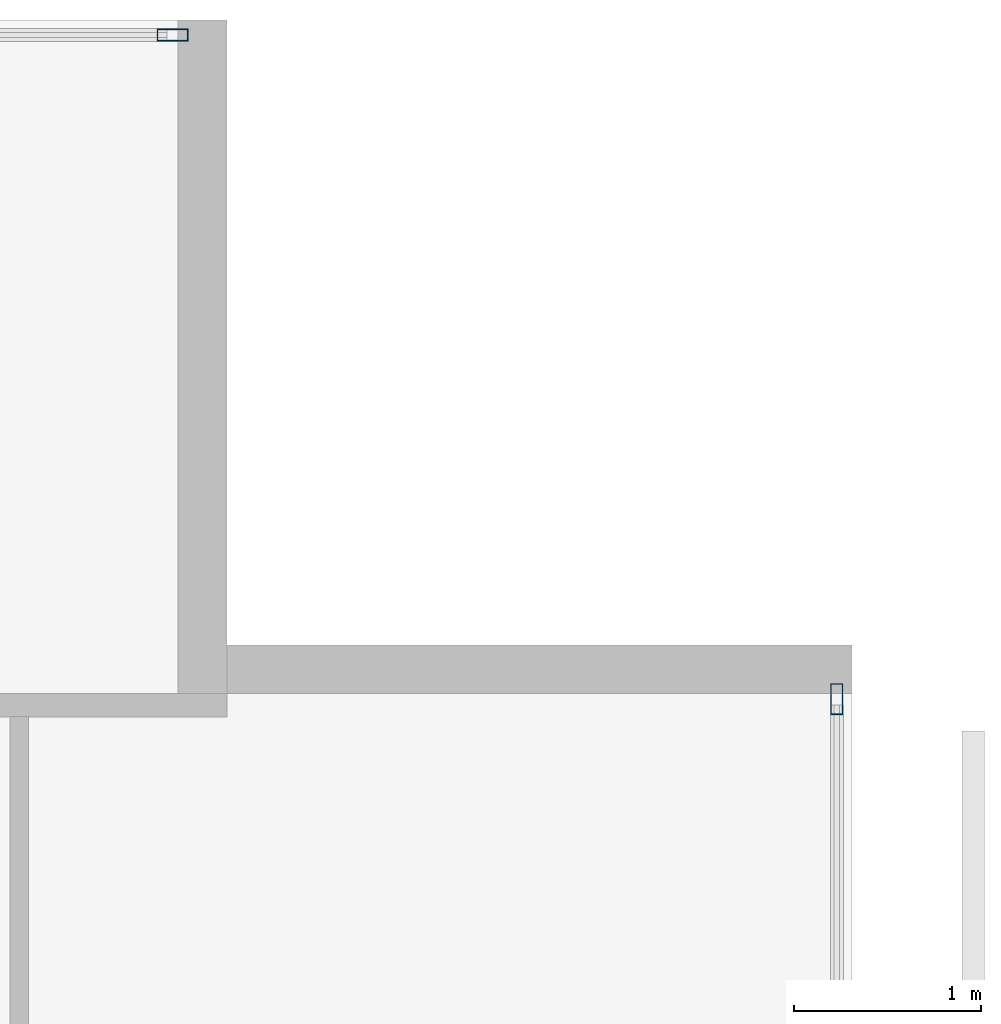
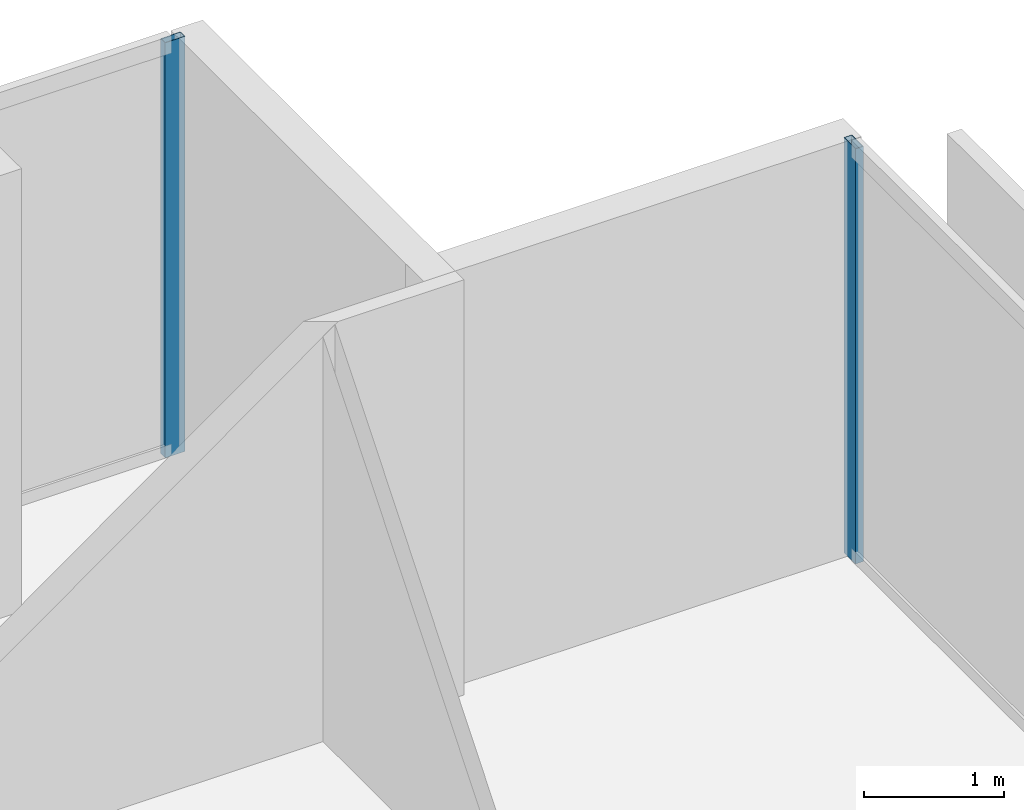
# One storey, part 31 of 40: 2 members, 2 elements without a shape of their own.
"""IFC4 building model written with IfcOpenShell, lengths in metres."""

from ifc_helpers import new_model, si_unit, direction, frame, origin, origin_2d, place, context, subcontext, project, spatial, hollow_rectangle, extrude, material, layer, layer_set, material_profile, profile_set, type_object, element, aggregate, save


model = new_model("IFC4")

# Units and contexts
model_context = context("Model", 3, precision=1e-05, world=origin(), true_north=direction((0.0, 1.0)))
body_context = subcontext(model_context, "Body", "Model", "MODEL_VIEW")
ifc_project = project(units=[si_unit("LENGTHUNIT", "METRE"), si_unit("AREAUNIT", "SQUARE_METRE"), si_unit("VOLUMEUNIT", "CUBIC_METRE"), si_unit("PLANEANGLEUNIT", "RADIAN"), si_unit("MASSUNIT", "GRAM", prefix="KILO")], contexts=[model_context])

# Site, building, storey
site_placement = place(None, origin())
site = spatial("IfcSite", under=ifc_project, at=site_placement, CompositionType="ELEMENT")
building_placement = place(site_placement, origin())
building = spatial("IfcBuilding", under=site, at=building_placement, Name="Maruvema Waterfront Hotel and Observation Tower", CompositionType="ELEMENT")
storey_placement = place(building_placement, frame((0.0, 0.0, 107.800048828125)))
storey = spatial("IfcBuildingStorey", under=building, at=storey_placement, Name="L26", CompositionType="ELEMENT", Elevation=107.800048828125)

# Curtain wall, member
ifc_material_1 = material(Name="Anodised bronze aluminium and solar-control low-E IGU", Category="aluminium")
ifc_layer = layer(ifc_material_1, 0.159912109375, Name="Zone 1 Bronze Inner Thermal Curtain Wall System CW-02")
ifc_layer_set = layer_set([ifc_layer], Name="Anodised bronze aluminium and solar-control low-E IGU")
curtain_wall_type = type_object("IfcCurtainWallType", Name="Zone 1 Bronze Inner Thermal Curtain Wall System CW-02", PredefinedType="USERDEFINED", material=ifc_layer_set)
curtain_wall_1_placement = place(storey_placement, origin())
curtain_wall_1 = element("IfcCurtainWall", 1, at=curtain_wall_1_placement, inside=storey, type_object=curtain_wall_type, Name="L26 Curtain Wall CW-L26-E", ObjectType="UNITISED CURTAIN WALL", PredefinedType="USERDEFINED")
ifc_material_2 = material(Name="Anodised architectural bronze aluminium", Category="aluminium")
ifc_material_profile = material_profile(ifc_material_2, hollow_rectangle(XDim=0.06494140625, YDim=0.1650390625, WallThickness=0.00390625, at=origin_2d()), Name="ALU-M65x165")
ifc_profile_set = profile_set([ifc_material_profile], Name="Anodised architectural bronze aluminium")
member_type = type_object("IfcMemberType", Name="Curtain Wall Primary Mullion ALU-M65x165", PredefinedType="MULLION", material=ifc_profile_set)
member_1_placement = place(storey_placement, frame((64.719970703125, 50.3701171875, 0.0), z_axis=(0.0, 0.0, 1.0), x_axis=(-1.0, 0.0, 0.0)))
member_1 = element("IfcMember", 2, at=member_1_placement, type_object=member_type, Name="CW-02 mullion 7", PredefinedType="MULLION", context=body_context, shape_type="SweptSolid", body=[
    extrude(hollow_rectangle(XDim=0.06494140625, YDim=0.1650390625, WallThickness=0.00390625, at=origin_2d()), origin(), (0.0, 0.0, 1.0), 3.60986328125),
])
aggregate(curtain_wall_1, [member_1])

curtain_wall_2_placement = place(storey_placement, origin())
curtain_wall_2 = element("IfcCurtainWall", 3, at=curtain_wall_2_placement, inside=storey, type_object=curtain_wall_type, Name="L26 Curtain Wall CW-L26-NE", ObjectType="UNITISED CURTAIN WALL", PredefinedType="USERDEFINED")
member_2_placement = place(storey_placement, frame((61.169921875, 53.919921875, 0.0), z_axis=(0.0, 0.0, 1.0), x_axis=(0.0, -1.0, 0.0)))
member_2 = element("IfcMember", 4, at=member_2_placement, type_object=member_type, Name="CW-02 mullion 1", PredefinedType="MULLION", context=body_context, shape_type="SweptSolid", body=[
    extrude(hollow_rectangle(XDim=0.06494140625, YDim=0.1650390625, WallThickness=0.00390625, at=origin_2d()), origin(), (0.0, 0.0, 1.0), 3.60986328125),
])
aggregate(curtain_wall_2, [member_2])

save(model, "model.ifc")
